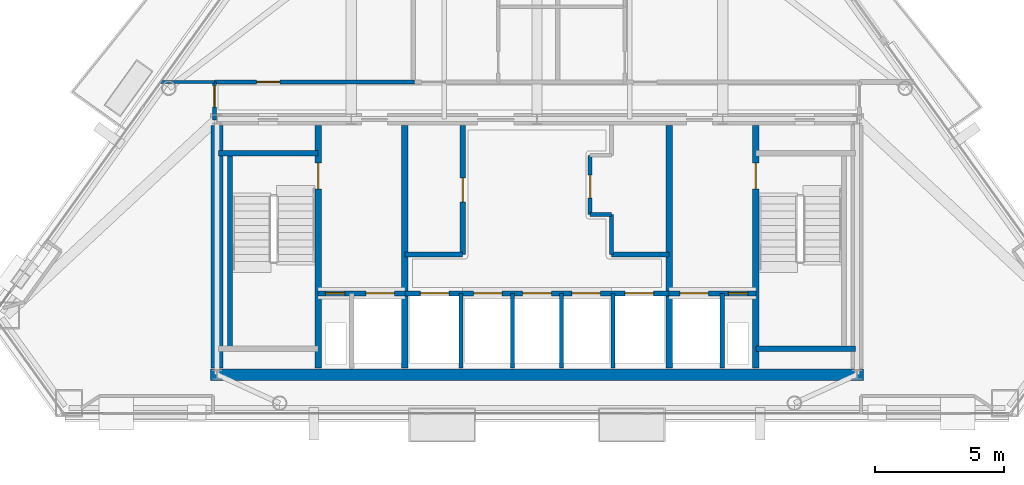
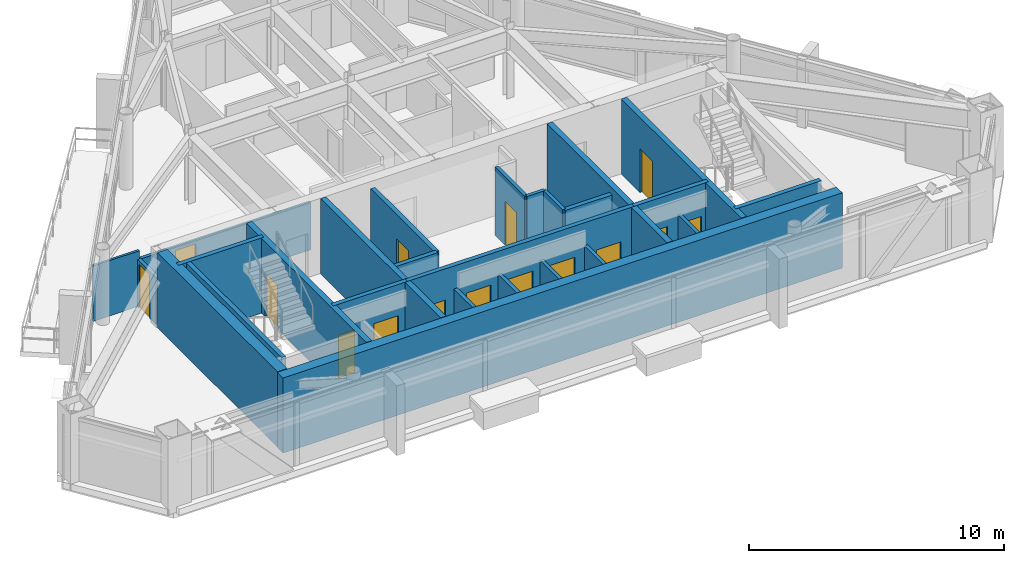
# One storey, part 7 of 11: 26 walls, 15 doors, 15 openings.
"""IFC4 building model written with IfcOpenShell, lengths in metres."""

from ifc_helpers import new_model, si_unit, direction, frame, frame_2d, origin, place, context, subcontext, project, spatial, rectangle, extrude, material, layer, layer_set, type_object, element, fill, save


model = new_model("IFC4")

# Units and contexts
model_context = context("Model", 3, precision=1e-05, world=origin(), true_north=direction((0.0, 1.0)))
body_context = subcontext(model_context, "Body", "Model", "MODEL_VIEW")
ifc_project = project(units=[si_unit("LENGTHUNIT", "METRE"), si_unit("AREAUNIT", "SQUARE_METRE"), si_unit("VOLUMEUNIT", "CUBIC_METRE"), si_unit("PLANEANGLEUNIT", "RADIAN"), si_unit("MASSUNIT", "GRAM", prefix="KILO")], contexts=[model_context])

# Site, building, storey
site_placement = place(None, origin())
site = spatial("IfcSite", under=ifc_project, at=site_placement, CompositionType="ELEMENT")
building_placement = place(site_placement, origin())
building = spatial("IfcBuilding", under=site, at=building_placement, Name="Talgorran Terracotta Tower", CompositionType="ELEMENT")
storey_placement = place(building_placement, frame((0.0, 0.0, 240.60009765625)))
storey = spatial("IfcBuildingStorey", under=building, at=storey_placement, Name="L63", CompositionType="ELEMENT", Elevation=240.60009765625)

# Walls
ifc_material_1 = material(Name="Concrete C50/60", Category="concrete")
ifc_layer_1 = layer(ifc_material_1, 0.199951171875, Name="WT_CORE_200")
ifc_layer_set_1 = layer_set([ifc_layer_1], Name="Concrete C50/60")
wall_type_1 = type_object("IfcWallType", Name="WT_CORE_200", PredefinedType="SOLIDWALL", material=ifc_layer_set_1)
wall_1_placement = place(storey_placement, frame((-12.35009765625, -5.52001953125, 0.0), z_axis=(0.0, 0.0, 1.0), x_axis=(1.0, 0.0, 0.0)))
element("IfcWall", 1, at=wall_1_placement, inside=storey, type_object=wall_type_1, Name="WL-L63-CW-ST1-N", PredefinedType="SOLIDWALL", context=body_context, shape_type="SweptSolid", body=[
    extrude(rectangle(XDim=3.8701171875, YDim=0.199951171875, at=frame_2d((1.93505859375, 0.0))), origin(), (0.0, 0.0, 1.0), 3.599853515625),
])
wall_2_placement = place(storey_placement, frame((-11.89990234375, -13.10009765625, 0.0), z_axis=(0.0, 0.0, 1.0), x_axis=(0.0, 1.0, 0.0)))
element("IfcWall", 2, at=wall_2_placement, inside=storey, type_object=wall_type_1, Name="WL-L63-CW-ST1-W", PredefinedType="SOLIDWALL", context=body_context, shape_type="SweptSolid", body=[
    extrude(rectangle(XDim=7.580078125, YDim=0.199951171875, at=frame_2d((3.7900390625, 0.0))), origin(), (0.0, 0.0, 1.0), 3.599853515625),
])
wall_3_placement = place(storey_placement, frame((8.47998046875, -13.10009765625, 0.0), z_axis=(0.0, 0.0, 1.0), x_axis=(1.0, 0.0, 0.0)))
element("IfcWall", 3, at=wall_3_placement, inside=storey, type_object=wall_type_1, Name="WL-L63-CW-ST2-S", PredefinedType="SOLIDWALL", context=body_context, shape_type="SweptSolid", body=[
    extrude(rectangle(XDim=3.8701171875, YDim=0.199951171875, at=frame_2d((1.93505859375, 0.0))), origin(), (0.0, 0.0, 1.0), 3.599853515625),
])

# Wall, openings, doors
wall_4_placement = place(storey_placement, frame((-8.47998046875, -10.949951171875, 0.0), z_axis=(0.0, 0.0, 1.0), x_axis=(1.0, 0.0, 0.0)))
wall_4 = element("IfcWall", 4, at=wall_4_placement, inside=storey, type_object=wall_type_1, Name="WL-L63-CW-H-SBW", PredefinedType="SOLIDWALL", context=body_context, shape_type="SweptSolid", body=[
    extrude(rectangle(XDim=3.35986328125, YDim=0.199951171875, at=frame_2d((1.679931640625, 0.0))), origin(), (0.0, 0.0, 1.0), 3.599853515625),
])
opening_1_placement = place(wall_4_placement, frame((0.280029296875, 0.0, 0.0)))
opening_1 = element("IfcOpeningElement", 5, at=opening_1_placement, cuts=wall_4, Name="Opening DR-RSW", PredefinedType="OPENING", context=body_context, shape_type="SweptSolid", body=[
    extrude(rectangle(XDim=0.756, YDim=2.054048828125, at=frame_2d((0.375, 1.027099609375))), frame((0.0, 0.10986328125, 0.0), z_axis=(0.0, -1.0, 0.0), x_axis=(1.0, 0.0, 0.0)), (0.0, 0.0, 1.0), 0.219970703125),
])
opening_2_placement = place(wall_4_placement, frame((1.85009765625, 0.0, 0.0)))
opening_2 = element("IfcOpeningElement", 6, at=opening_2_placement, cuts=wall_4, Name="Opening LD-FFL1", PredefinedType="OPENING", context=body_context, shape_type="SweptSolid", body=[
    extrude(rectangle(XDim=1.10609765625, YDim=2.10409765625, at=frame_2d((0.550048828125, 1.052001953125))), frame((0.0, 0.10986328125, 0.0), z_axis=(0.0, -1.0, 0.0), x_axis=(1.0, 0.0, 0.0)), (0.0, 0.0, 1.0), 0.219970703125),
])
ifc_material_2 = material(Name="Brushed Stainless Steel Grade 304", Category="steel")
door_type_1 = type_object("IfcDoorType", Name="DT_LIFT_LD1100", OperationType="DOUBLE_DOOR_SLIDING", PredefinedType="DOOR", material=ifc_material_2)
door_1_placement = place(opening_2_placement, origin())
door_1 = element("IfcDoor", 7, at=door_1_placement, inside=storey, type_object=door_type_1, Name="L63 Lift Landing Door LD-FFL1", OperationType="DOUBLE_DOOR_SLIDING", OverallHeight=2.10009765625, OverallWidth=1.10009765625, PredefinedType="DOOR", context=body_context, shape_type="SweptSolid", body=[
    extrude(rectangle(XDim=1.10009765625, YDim=2.10009765625, at=frame_2d((0.550048828125, 1.050048828125))), frame((0.0, 0.02490234375, 0.0), z_axis=(0.0, -1.0, 0.0), x_axis=(1.0, 0.0, 0.0)), (0.0, 0.0, 1.0), 0.050048828125),
])
fill(opening_2, door_1)
ifc_material_3 = material(Name="Fire-Rated Pressed Steel", Category="steel")
door_type_2 = type_object("IfcDoorType", Name="DT_RISER_750", OperationType="NOTDEFINED", PredefinedType="DOOR", material=ifc_material_3)
door_2_placement = place(opening_1_placement, origin())
door_2 = element("IfcDoor", 8, at=door_2_placement, inside=storey, type_object=door_type_2, Name="DR-RSW", OperationType="SINGLE_SWING_LEFT", OverallHeight=2.050048828125, OverallWidth=0.75, PredefinedType="DOOR", context=body_context, shape_type="SweptSolid", body=[
    extrude(rectangle(XDim=0.75, YDim=2.050048828125, at=frame_2d((0.375, 1.02490234375))), frame((0.0, 0.02490234375, 0.0), z_axis=(0.0, -1.0, 0.0), x_axis=(1.0, 0.0, 0.0)), (0.0, 0.0, 1.0), 0.050048828125),
])
fill(opening_1, door_2)

wall_5_placement = place(storey_placement, frame((-5.1201171875, -10.949951171875, 0.0), z_axis=(0.0, 0.0, 1.0), x_axis=(1.0, 0.0, 0.0)))
wall_5 = element("IfcWall", 9, at=wall_5_placement, inside=storey, type_object=wall_type_1, Name="WL-L63-CW-H-SBC", PredefinedType="SOLIDWALL", context=body_context, shape_type="SweptSolid", body=[
    extrude(rectangle(XDim=10.240234375, YDim=0.199951171875, at=frame_2d((5.1201171875, 0.0))), origin(), (0.0, 0.0, 1.0), 3.599853515625),
])
opening_3_placement = place(wall_5_placement, frame((0.60009765625, 0.0, 0.0)))
opening_3 = element("IfcOpeningElement", 10, at=opening_3_placement, cuts=wall_5, Name="Opening LD-OB1", PredefinedType="OPENING", context=body_context, shape_type="SweptSolid", body=[
    extrude(rectangle(XDim=1.10609765625, YDim=2.10409765625, at=frame_2d((0.550048828125, 1.052001953125))), frame((0.0, 0.10986328125, 0.0), z_axis=(0.0, -1.0, 0.0), x_axis=(1.0, 0.0, 0.0)), (0.0, 0.0, 1.0), 0.219970703125),
])
opening_4_placement = place(wall_5_placement, frame((2.669921875, 0.0, 0.0)))
opening_4 = element("IfcOpeningElement", 11, at=opening_4_placement, cuts=wall_5, Name="Opening LD-PLH1", PredefinedType="OPENING", context=body_context, shape_type="SweptSolid", body=[
    extrude(rectangle(XDim=1.10609765625, YDim=2.10409765625, at=frame_2d((0.550048828125, 1.052001953125))), frame((0.0, 0.10986328125, 0.0), z_axis=(0.0, -1.0, 0.0), x_axis=(1.0, 0.0, 0.0)), (0.0, 0.0, 1.0), 0.219970703125),
])
opening_5_placement = place(wall_5_placement, frame((4.570068359375, 0.0, 0.0)))
opening_5 = element("IfcOpeningElement", 12, at=opening_5_placement, cuts=wall_5, Name="Opening LD-PLH2", PredefinedType="OPENING", context=body_context, shape_type="SweptSolid", body=[
    extrude(rectangle(XDim=1.10609765625, YDim=2.10409765625, at=frame_2d((0.550048828125, 1.052001953125))), frame((0.0, 0.10986328125, 0.0), z_axis=(0.0, -1.0, 0.0), x_axis=(1.0, 0.0, 0.0)), (0.0, 0.0, 1.0), 0.219970703125),
])
opening_6_placement = place(wall_5_placement, frame((6.469970703125, 0.0, 0.0)))
opening_6 = element("IfcOpeningElement", 13, at=opening_6_placement, cuts=wall_5, Name="Opening LD-PLH3", PredefinedType="OPENING", context=body_context, shape_type="SweptSolid", body=[
    extrude(rectangle(XDim=1.10609765625, YDim=2.10409765625, at=frame_2d((0.550048828125, 1.052001953125))), frame((0.0, 0.10986328125, 0.0), z_axis=(0.0, -1.0, 0.0), x_axis=(1.0, 0.0, 0.0)), (0.0, 0.0, 1.0), 0.219970703125),
])
opening_7_placement = place(wall_5_placement, frame((8.5400390625, 0.0, 0.0)))
opening_7 = element("IfcOpeningElement", 14, at=opening_7_placement, cuts=wall_5, Name="Opening LD-SVL1", PredefinedType="OPENING", context=body_context, shape_type="SweptSolid", body=[
    extrude(rectangle(XDim=1.10609765625, YDim=2.10409765625, at=frame_2d((0.550048828125, 1.052001953125))), frame((0.0, 0.10986328125, 0.0), z_axis=(0.0, -1.0, 0.0), x_axis=(1.0, 0.0, 0.0)), (0.0, 0.0, 1.0), 0.219970703125),
])
door_3_placement = place(opening_3_placement, origin())
door_3 = element("IfcDoor", 15, at=door_3_placement, inside=storey, type_object=door_type_1, Name="L63 Lift Landing Door LD-OB1", OperationType="DOUBLE_DOOR_SLIDING", OverallHeight=2.10009765625, OverallWidth=1.10009765625, PredefinedType="DOOR", context=body_context, shape_type="SweptSolid", body=[
    extrude(rectangle(XDim=1.10009765625, YDim=2.10009765625, at=frame_2d((0.550048828125, 1.050048828125))), frame((0.0, 0.02490234375, 0.0), z_axis=(0.0, -1.0, 0.0), x_axis=(1.0, 0.0, 0.0)), (0.0, 0.0, 1.0), 0.050048828125),
])
fill(opening_3, door_3)
door_4_placement = place(opening_4_placement, origin())
door_4 = element("IfcDoor", 16, at=door_4_placement, inside=storey, type_object=door_type_1, Name="L63 Lift Landing Door LD-PLH1", OperationType="DOUBLE_DOOR_SLIDING", OverallHeight=2.10009765625, OverallWidth=1.10009765625, PredefinedType="DOOR", context=body_context, shape_type="SweptSolid", body=[
    extrude(rectangle(XDim=1.10009765625, YDim=2.10009765625, at=frame_2d((0.550048828125, 1.050048828125))), frame((0.0, 0.02490234375, 0.0), z_axis=(0.0, -1.0, 0.0), x_axis=(1.0, 0.0, 0.0)), (0.0, 0.0, 1.0), 0.050048828125),
])
fill(opening_4, door_4)
door_5_placement = place(opening_5_placement, origin())
door_5 = element("IfcDoor", 17, at=door_5_placement, inside=storey, type_object=door_type_1, Name="L63 Lift Landing Door LD-PLH2", OperationType="DOUBLE_DOOR_SLIDING", OverallHeight=2.10009765625, OverallWidth=1.10009765625, PredefinedType="DOOR", context=body_context, shape_type="SweptSolid", body=[
    extrude(rectangle(XDim=1.10009765625, YDim=2.10009765625, at=frame_2d((0.550048828125, 1.050048828125))), frame((0.0, 0.02490234375, 0.0), z_axis=(0.0, -1.0, 0.0), x_axis=(1.0, 0.0, 0.0)), (0.0, 0.0, 1.0), 0.050048828125),
])
fill(opening_5, door_5)
door_6_placement = place(opening_6_placement, origin())
door_6 = element("IfcDoor", 18, at=door_6_placement, inside=storey, type_object=door_type_1, Name="L63 Lift Landing Door LD-PLH3", OperationType="DOUBLE_DOOR_SLIDING", OverallHeight=2.10009765625, OverallWidth=1.10009765625, PredefinedType="DOOR", context=body_context, shape_type="SweptSolid", body=[
    extrude(rectangle(XDim=1.10009765625, YDim=2.10009765625, at=frame_2d((0.550048828125, 1.050048828125))), frame((0.0, 0.02490234375, 0.0), z_axis=(0.0, -1.0, 0.0), x_axis=(1.0, 0.0, 0.0)), (0.0, 0.0, 1.0), 0.050048828125),
])
fill(opening_6, door_6)
door_7_placement = place(opening_7_placement, origin())
door_7 = element("IfcDoor", 19, at=door_7_placement, inside=storey, type_object=door_type_1, Name="L63 Lift Landing Door LD-SVL1", OperationType="DOUBLE_DOOR_SLIDING", OverallHeight=2.10009765625, OverallWidth=1.10009765625, PredefinedType="DOOR", context=body_context, shape_type="SweptSolid", body=[
    extrude(rectangle(XDim=1.10009765625, YDim=2.10009765625, at=frame_2d((0.550048828125, 1.050048828125))), frame((0.0, 0.02490234375, 0.0), z_axis=(0.0, -1.0, 0.0), x_axis=(1.0, 0.0, 0.0)), (0.0, 0.0, 1.0), 0.050048828125),
])
fill(opening_7, door_7)

wall_6_placement = place(storey_placement, frame((5.1201171875, -10.949951171875, 0.0), z_axis=(0.0, 0.0, 1.0), x_axis=(1.0, 0.0, 0.0)))
wall_6 = element("IfcWall", 20, at=wall_6_placement, inside=storey, type_object=wall_type_1, Name="WL-L63-CW-H-SBE", PredefinedType="SOLIDWALL", context=body_context, shape_type="SweptSolid", body=[
    extrude(rectangle(XDim=3.35986328125, YDim=0.199951171875, at=frame_2d((1.679931640625, 0.0))), origin(), (0.0, 0.0, 1.0), 3.599853515625),
])
opening_8_placement = place(wall_6_placement, frame((0.419921875, 0.0, 0.0)))
opening_8 = element("IfcOpeningElement", 21, at=opening_8_placement, cuts=wall_6, Name="Opening LD-FFL2", PredefinedType="OPENING", context=body_context, shape_type="SweptSolid", body=[
    extrude(rectangle(XDim=1.10609765625, YDim=2.10409765625, at=frame_2d((0.550048828125, 1.052001953125))), frame((0.0, 0.10986328125, 0.0), z_axis=(0.0, -1.0, 0.0), x_axis=(1.0, 0.0, 0.0)), (0.0, 0.0, 1.0), 0.219970703125),
])
opening_9_placement = place(wall_6_placement, frame((2.300048828125, 0.0, 0.0)))
opening_9 = element("IfcOpeningElement", 22, at=opening_9_placement, cuts=wall_6, Name="Opening DR-RSE", PredefinedType="OPENING", context=body_context, shape_type="SweptSolid", body=[
    extrude(rectangle(XDim=0.756, YDim=2.054048828125, at=frame_2d((0.375, 1.027099609375))), frame((0.0, 0.10986328125, 0.0), z_axis=(0.0, -1.0, 0.0), x_axis=(1.0, 0.0, 0.0)), (0.0, 0.0, 1.0), 0.219970703125),
])
door_8_placement = place(opening_8_placement, origin())
door_8 = element("IfcDoor", 23, at=door_8_placement, inside=storey, type_object=door_type_1, Name="L63 Lift Landing Door LD-FFL2", OperationType="DOUBLE_DOOR_SLIDING", OverallHeight=2.10009765625, OverallWidth=1.10009765625, PredefinedType="DOOR", context=body_context, shape_type="SweptSolid", body=[
    extrude(rectangle(XDim=1.10009765625, YDim=2.10009765625, at=frame_2d((0.550048828125, 1.050048828125))), frame((0.0, 0.02490234375, 0.0), z_axis=(0.0, -1.0, 0.0), x_axis=(1.0, 0.0, 0.0)), (0.0, 0.0, 1.0), 0.050048828125),
])
fill(opening_8, door_8)
door_9_placement = place(opening_9_placement, origin())
door_9 = element("IfcDoor", 24, at=door_9_placement, inside=storey, type_object=door_type_2, Name="DR-RSE", OperationType="SINGLE_SWING_RIGHT", OverallHeight=2.050048828125, OverallWidth=0.75, PredefinedType="DOOR", context=body_context, shape_type="SweptSolid", body=[
    extrude(rectangle(XDim=0.75, YDim=2.050048828125, at=frame_2d((0.375, 1.02490234375))), frame((0.0, 0.02490234375, 0.0), z_axis=(0.0, -1.0, 0.0), x_axis=(1.0, 0.0, 0.0)), (0.0, 0.0, 1.0), 0.050048828125),
])
fill(opening_9, door_9)

# Wall, opening, door
wall_7_placement = place(storey_placement, frame((-2.8798828125, -9.449951171875, 0.0), z_axis=(0.0, 0.0, 1.0), x_axis=(0.0, 1.0, 0.0)))
wall_7 = element("IfcWall", 25, at=wall_7_placement, inside=storey, type_object=wall_type_1, Name="WL-L63-CW-V-W3", PredefinedType="SOLIDWALL", context=body_context, shape_type="SweptSolid", body=[
    extrude(rectangle(XDim=5.0, YDim=0.199951171875, at=frame_2d((2.5, 0.0))), origin(), (0.0, 0.0, 1.0), 3.27978515625),
])
opening_10_placement = place(wall_7_placement, frame((2.050048828125, 0.0, 0.0)))
opening_10 = element("IfcOpeningElement", 26, at=opening_10_placement, cuts=wall_7, Name="Opening DR-FRPLL-A", PredefinedType="OPENING", context=body_context, shape_type="SweptSolid", body=[
    extrude(rectangle(XDim=0.925921875, YDim=2.10409765625, at=frame_2d((0.4599609375, 1.052001953125))), frame((0.0, 0.10986328125, 0.0), z_axis=(0.0, -1.0, 0.0), x_axis=(1.0, 0.0, 0.0)), (0.0, 0.0, 1.0), 0.219970703125),
])
ifc_material_4 = material(Name="Solid-Core Painted Timber", Category="wood")
door_type_3 = type_object("IfcDoorType", Name="DT_INT_920", OperationType="NOTDEFINED", PredefinedType="DOOR", material=ifc_material_4)
door_10_placement = place(opening_10_placement, origin())
door_10 = element("IfcDoor", 27, at=door_10_placement, inside=storey, type_object=door_type_3, Name="DR-FRPLL-A", OperationType="SINGLE_SWING_LEFT", OverallHeight=2.10009765625, OverallWidth=0.919921875, PredefinedType="DOOR", context=body_context, shape_type="SweptSolid", body=[
    extrude(rectangle(XDim=0.919921875, YDim=2.10009765625, at=frame_2d((0.4599609375, 1.050048828125))), frame((0.0, 0.02490234375, 0.0), z_axis=(0.0, -1.0, 0.0), x_axis=(1.0, 0.0, 0.0)), (0.0, 0.0, 1.0), 0.050048828125),
])
fill(opening_10, door_10)

# Walls
for number, where, z_axis, x_axis, name in (
    (28, (-5.1201171875, -9.449951171875, 0.0), (0.0, 0.0, 1.0), (1.0, 0.0, 0.0), "WL-L63-CW-H-W4"),
    (29, (2.8798828125, -9.449951171875, 0.0), (0.0, 0.0, 1.0), (1.0, 0.0, 0.0), "WL-L63-CW-H-E4"),
):
    element("IfcWall", number, at=place(storey_placement, frame(where, z_axis=z_axis, x_axis=x_axis)), inside=storey, type_object=wall_type_1, Name=name, PredefinedType="SOLIDWALL", context=body_context, shape_type="SweptSolid", body=[
        extrude(rectangle(XDim=2.240234375, YDim=0.199951171875, at=frame_2d((1.1201171875, 0.0))), origin(), (0.0, 0.0, 1.0), 3.27978515625),
    ])

# Wall, opening, door
ifc_layer_2 = layer(ifc_material_1, 0.25, Name="WT_CORE_250")
ifc_layer_set_2 = layer_set([ifc_layer_2], Name="Concrete C50/60")
wall_type_2 = type_object("IfcWallType", Name="WT_CORE_250", PredefinedType="SHEAR", material=ifc_layer_set_2)
wall_8_placement = place(storey_placement, frame((-8.47998046875, -13.85009765625, 0.0), z_axis=(0.0, 0.0, 1.0), x_axis=(0.0, 1.0, 0.0)))
wall_8 = element("IfcWall", 30, at=wall_8_placement, inside=storey, type_object=wall_type_2, Name="WL-L63-CW-V-W1", PredefinedType="SHEAR", context=body_context, shape_type="SweptSolid", body=[
    extrude(rectangle(XDim=9.400146484375, YDim=0.25, at=frame_2d((4.7001953125, 0.0))), origin(), (0.0, 0.0, 1.0), 3.599853515625),
])
opening_11_placement = place(wall_8_placement, frame((6.949951171875, 0.0, 0.0)))
opening_11 = element("IfcOpeningElement", 31, at=opening_11_placement, cuts=wall_8, Name="Opening DR-ST01", PredefinedType="OPENING", context=body_context, shape_type="SweptSolid", body=[
    extrude(rectangle(XDim=1.006, YDim=2.10409765625, at=frame_2d((0.5, 1.052001953125))), frame((0.0, 0.135009765625, 0.0), z_axis=(0.0, -1.0, 0.0), x_axis=(1.0, 0.0, 0.0)), (0.0, 0.0, 1.0), 0.27001953125),
])
door_type_4 = type_object("IfcDoorType", Name="DT_FIRE_1000", OperationType="NOTDEFINED", PredefinedType="DOOR", material=ifc_material_3)
door_11_placement = place(opening_11_placement, origin())
door_11 = element("IfcDoor", 32, at=door_11_placement, inside=storey, type_object=door_type_4, Name="DR-ST01", OperationType="SINGLE_SWING_LEFT", OverallHeight=2.10009765625, OverallWidth=1.0, PredefinedType="DOOR", context=body_context, shape_type="SweptSolid", body=[
    extrude(rectangle(XDim=1.0, YDim=2.10009765625, at=frame_2d((0.5, 1.050048828125))), frame((0.0, 0.02490234375, 0.0), z_axis=(0.0, -1.0, 0.0), x_axis=(1.0, 0.0, 0.0)), (0.0, 0.0, 1.0), 0.050048828125),
])
fill(opening_11, door_11)

wall_9_placement = place(storey_placement, frame((8.47998046875, -13.85009765625, 0.0), z_axis=(0.0, 0.0, 1.0), x_axis=(0.0, 1.0, 0.0)))
wall_9 = element("IfcWall", 33, at=wall_9_placement, inside=storey, type_object=wall_type_2, Name="WL-L63-CW-V-E1", PredefinedType="SHEAR", context=body_context, shape_type="SweptSolid", body=[
    extrude(rectangle(XDim=9.400146484375, YDim=0.25, at=frame_2d((4.7001953125, 0.0))), origin(), (0.0, 0.0, 1.0), 3.599853515625),
])
opening_12_placement = place(wall_9_placement, frame((6.949951171875, 0.0, 0.0)))
opening_12 = element("IfcOpeningElement", 34, at=opening_12_placement, cuts=wall_9, Name="Opening DR-ST02", PredefinedType="OPENING", context=body_context, shape_type="SweptSolid", body=[
    extrude(rectangle(XDim=1.006, YDim=2.10409765625, at=frame_2d((0.5, 1.052001953125))), frame((0.0, 0.135009765625, 0.0), z_axis=(0.0, -1.0, 0.0), x_axis=(1.0, 0.0, 0.0)), (0.0, 0.0, 1.0), 0.27001953125),
])
door_12_placement = place(opening_12_placement, origin())
door_12 = element("IfcDoor", 35, at=door_12_placement, inside=storey, type_object=door_type_4, Name="DR-ST02", OperationType="SINGLE_SWING_RIGHT", OverallHeight=2.10009765625, OverallWidth=1.0, PredefinedType="DOOR", context=body_context, shape_type="SweptSolid", body=[
    extrude(rectangle(XDim=1.0, YDim=2.10009765625, at=frame_2d((0.5, 1.050048828125))), frame((0.0, 0.02490234375, 0.0), z_axis=(0.0, -1.0, 0.0), x_axis=(1.0, 0.0, 0.0)), (0.0, 0.0, 1.0), 0.050048828125),
])
fill(opening_12, door_12)

# Walls
for number, where, z_axis, x_axis, name in (
    (36, (-5.1201171875, -13.85009765625, 0.0), (0.0, 0.0, 1.0), (0.0, 1.0, 0.0), "WL-L63-CW-V-W2"),
    (37, (5.1201171875, -13.85009765625, 0.0), (0.0, 0.0, 1.0), (0.0, 1.0, 0.0), "WL-L63-CW-V-E2"),
):
    element("IfcWall", number, at=place(storey_placement, frame(where, z_axis=z_axis, x_axis=x_axis)), inside=storey, type_object=wall_type_2, Name=name, PredefinedType="SHEAR", context=body_context, shape_type="SweptSolid", body=[
        extrude(rectangle(XDim=9.400146484375, YDim=0.25, at=frame_2d((4.7001953125, 0.0))), origin(), (0.0, 0.0, 1.0), 3.599853515625),
    ])
ifc_material_5 = material(Name="Concrete C65/80", Category="concrete")
ifc_layer_3 = layer(ifc_material_5, 0.449951171875, Name="WT_CORE_EXT")
ifc_layer_set_3 = layer_set([ifc_layer_3], Name="Concrete C65/80")
wall_type_3 = type_object("IfcWallType", Name="WT_CORE_EXT", PredefinedType="SHEAR", material=ifc_layer_set_3)
wall_10_placement = place(storey_placement, frame((-12.64990234375, -14.10009765625, 0.0), z_axis=(0.0, 0.0, 1.0), x_axis=(1.0, 0.0, 0.0)))
element("IfcWall", 38, at=wall_10_placement, inside=storey, type_object=wall_type_3, Name="WL-L63-CW-OUT-S", PredefinedType="SHEAR", context=body_context, shape_type="SweptSolid", body=[
    extrude(rectangle(XDim=25.2998046875, YDim=0.449951171875, at=frame_2d((12.64990234375, 0.0))), origin(), (0.0, 0.0, 1.0), 3.599853515625),
])
wall_11_placement = place(storey_placement, frame((-12.39990234375, -13.85009765625, 0.0), z_axis=(0.0, 0.0, 1.0), x_axis=(0.0, 1.0, 0.0)))
element("IfcWall", 39, at=wall_11_placement, inside=storey, type_object=wall_type_3, Name="WL-L63-CW-OUT-W", PredefinedType="SHEAR", context=body_context, shape_type="SweptSolid", body=[
    extrude(rectangle(XDim=9.400146484375, YDim=0.449951171875, at=frame_2d((4.7001953125, 0.0))), origin(), (0.0, 0.0, 1.0), 3.599853515625),
])
ifc_material_6 = material(Name="Fire-Rated Steel Stud Plasterboard", Category="steel")
ifc_layer_4 = layer(ifc_material_6, 0.14990234375, Name="WT_FIRE_150")
ifc_layer_set_4 = layer_set([ifc_layer_4], Name="Fire-Rated Steel Stud Plasterboard")
wall_type_4 = type_object("IfcWallType", Name="WT_FIRE_150", PredefinedType="PARTITIONING", material=ifc_layer_set_4)
wall_12_placement = place(storey_placement, frame((2.8798828125, -9.449951171875, 0.0), z_axis=(0.0, 0.0, 1.0), x_axis=(0.0, 1.0, 0.0)))
element("IfcWall", 40, at=wall_12_placement, inside=storey, type_object=wall_type_4, Name="WL-L63-CW-V-E3A", PredefinedType="PARTITIONING", context=body_context, shape_type="SweptSolid", body=[
    extrude(rectangle(XDim=1.550048828125, YDim=0.14990234375, at=frame_2d((0.77490234375, 0.0))), origin(), (0.0, 0.0, 1.0), 3.27978515625),
])
wall_13_placement = place(storey_placement, frame((2.06005859375, -7.89990234375, 0.0), z_axis=(0.0, 0.0, 1.0), x_axis=(1.0, 0.0, 0.0)))
element("IfcWall", 41, at=wall_13_placement, inside=storey, type_object=wall_type_4, Name="WL-L63-CW-H-E3B", PredefinedType="PARTITIONING", context=body_context, shape_type="SweptSolid", body=[
    extrude(rectangle(XDim=0.81982421875, YDim=0.14990234375, at=frame_2d((0.409912109375, 0.0))), origin(), (0.0, 0.0, 1.0), 3.27978515625),
])

# Wall, opening, door
wall_14_placement = place(storey_placement, frame((2.06005859375, -7.89990234375, 0.0), z_axis=(0.0, 0.0, 1.0), x_axis=(0.0, 1.0, 0.0)))
wall_14 = element("IfcWall", 42, at=wall_14_placement, inside=storey, type_object=wall_type_4, Name="WL-L63-CW-V-E3C", PredefinedType="PARTITIONING", context=body_context, shape_type="SweptSolid", body=[
    extrude(rectangle(XDim=2.2998046875, YDim=0.14990234375, at=frame_2d((1.14990234375, 0.0))), origin(), (0.0, 0.0, 1.0), 3.27978515625),
])
opening_13_placement = place(wall_14_placement, frame((0.64990234375, 0.0, 0.0)))
opening_13 = element("IfcOpeningElement", 43, at=opening_13_placement, cuts=wall_14, Name="Opening DR-FRPLM-B", PredefinedType="OPENING", context=body_context, shape_type="SweptSolid", body=[
    extrude(rectangle(XDim=0.8858828125, YDim=2.10409765625, at=frame_2d((0.43994140625, 1.052001953125))), frame((0.0, 0.0849609375, 0.0), z_axis=(0.0, -1.0, 0.0), x_axis=(1.0, 0.0, 0.0)), (0.0, 0.0, 1.0), 0.169921875),
])
door_type_5 = type_object("IfcDoorType", Name="DT_INT_880", OperationType="NOTDEFINED", PredefinedType="DOOR", material=ifc_material_4)
door_13_placement = place(opening_13_placement, origin())
door_13 = element("IfcDoor", 44, at=door_13_placement, inside=storey, type_object=door_type_5, Name="DR-FRPLM-B", OperationType="SINGLE_SWING_RIGHT", OverallHeight=2.10009765625, OverallWidth=0.8798828125, PredefinedType="DOOR", context=body_context, shape_type="SweptSolid", body=[
    extrude(rectangle(XDim=0.8798828125, YDim=2.10009765625, at=frame_2d((0.43994140625, 1.050048828125))), frame((0.0, 0.02490234375, 0.0), z_axis=(0.0, -1.0, 0.0), x_axis=(1.0, 0.0, 0.0)), (0.0, 0.0, 1.0), 0.050048828125),
])
fill(opening_13, door_13)

wall_15_placement = place(storey_placement, frame((-12.5, -2.760009765625, 0.0), z_axis=(0.0, 0.0, 1.0), x_axis=(1.0, 0.0, 0.0)))
wall_15 = element("IfcWall", 45, at=wall_15_placement, inside=storey, type_object=wall_type_4, Name="WL-L63-W-L63-R03", PredefinedType="PARTITIONING", context=body_context, shape_type="SweptSolid", body=[
    extrude(rectangle(XDim=7.760009765625, YDim=0.14990234375, at=frame_2d((3.8798828125, 0.0))), origin(), (0.0, 0.0, 1.0), 2.2548828125),
])
opening_14_placement = place(wall_15_placement, frame((1.635498046875, 0.0, 0.0)))
opening_14 = element("IfcOpeningElement", 46, at=opening_14_placement, cuts=wall_15, Name="Opening DR-L63-R03", PredefinedType="OPENING", context=body_context, shape_type="SweptSolid", body=[
    extrude(rectangle(XDim=0.90590234375, YDim=2.10409765625, at=frame_2d((0.449951171875, 1.052001953125))), frame((0.0, 0.0849609375, 0.0), z_axis=(0.0, -1.0, 0.0), x_axis=(1.0, 0.0, 0.0)), (0.0, 0.0, 1.0), 0.169921875),
])
ifc_material_7 = material(Name="Fire-Rated Timber Core", Category="wood")
door_type_6 = type_object("IfcDoorType", Name="DT_FIRE_900", OperationType="NOTDEFINED", PredefinedType="DOOR", material=ifc_material_7)
door_14_placement = place(opening_14_placement, origin())
door_14 = element("IfcDoor", 47, at=door_14_placement, inside=storey, type_object=door_type_6, Name="DR-L63-R03", OperationType="SINGLE_SWING_LEFT", OverallHeight=2.10009765625, OverallWidth=0.89990234375, PredefinedType="DOOR", context=body_context, shape_type="SweptSolid", body=[
    extrude(rectangle(XDim=0.89990234375, YDim=2.10009765625, at=frame_2d((0.449951171875, 1.050048828125))), frame((0.0, 0.02490234375, 0.0), z_axis=(0.0, -1.0, 0.0), x_axis=(1.0, 0.0, 0.0)), (0.0, 0.0, 1.0), 0.050048828125),
])
fill(opening_14, door_14)

wall_16_placement = place(storey_placement, frame((-12.5, -4.239990234375, 0.0), z_axis=(0.0, 0.0, 1.0), x_axis=(0.0, 1.0, 0.0)))
wall_16 = element("IfcWall", 48, at=wall_16_placement, inside=storey, type_object=wall_type_4, Name="WL-L63-W-L63-R01", PredefinedType="PARTITIONING", context=body_context, shape_type="SweptSolid", body=[
    extrude(rectangle(XDim=1.47998046875, YDim=0.14990234375, at=frame_2d((0.739990234375, 0.0))), origin(), (0.0, 0.0, 1.0), 2.2548828125),
])
opening_15_placement = place(wall_16_placement, frame((0.521728515625, 0.0, 0.0)))
opening_15 = element("IfcOpeningElement", 49, at=opening_15_placement, cuts=wall_16, Name="Opening DR-L63-R01", PredefinedType="OPENING", context=body_context, shape_type="SweptSolid", body=[
    extrude(rectangle(XDim=0.826068359375, YDim=2.10409765625, at=frame_2d((0.41015625, 1.052001953125))), frame((0.0, 0.0849609375, 0.0), z_axis=(0.0, -1.0, 0.0), x_axis=(1.0, 0.0, 0.0)), (0.0, 0.0, 1.0), 0.169921875),
])
ifc_material_8 = material(Name="Moisture-Resistant Solid Timber", Category="wood")
door_type_7 = type_object("IfcDoorType", Name="DT_INT_820", OperationType="NOTDEFINED", PredefinedType="DOOR", material=ifc_material_8)
door_15_placement = place(opening_15_placement, origin())
door_15 = element("IfcDoor", 50, at=door_15_placement, inside=storey, type_object=door_type_7, Name="DR-L63-R01", OperationType="SINGLE_SWING_LEFT", OverallHeight=2.10009765625, OverallWidth=0.820068359375, PredefinedType="DOOR", context=body_context, shape_type="SweptSolid", body=[
    extrude(rectangle(XDim=0.820068359375, YDim=2.10009765625, at=frame_2d((0.41015625, 1.050048828125))), frame((0.0, 0.02490234375, 0.0), z_axis=(0.0, -1.0, 0.0), x_axis=(1.0, 0.0, 0.0)), (0.0, 0.0, 1.0), 0.050048828125),
])
fill(opening_15, door_15)

# Walls
ifc_material_9 = material(Name="Lightweight Steel Stud Partition", Category="steel")
ifc_layer_5 = layer(ifc_material_9, 0.10498046875, Name="WT_PART_110")
ifc_layer_set_5 = layer_set([ifc_layer_5], Name="Lightweight Steel Stud Partition")
wall_type_5 = type_object("IfcWallType", Name="WT_PART_110", PredefinedType="PARTITIONING", material=ifc_layer_set_5)
wall_17_placement = place(storey_placement, frame((-14.58837890625, -2.760009765625, 0.0), z_axis=(0.0, 0.0, 1.0), x_axis=(1.0, 0.0, 0.0)))
element("IfcWall", 51, at=wall_17_placement, inside=storey, type_object=wall_type_5, Name="WL-L63-W-L63-R08", PredefinedType="PARTITIONING", context=body_context, shape_type="SweptSolid", body=[
    extrude(rectangle(XDim=2.08837890625, YDim=0.10498046875, at=frame_2d((1.044189453125, 0.0))), origin(), (0.0, 0.0, 1.0), 2.65283203125),
])
ifc_material_10 = material(Name="Fire-Rated Shaftwall")
ifc_layer_6 = layer(ifc_material_10, 0.159912109375, Name="WT_PART_150")
ifc_layer_set_6 = layer_set([ifc_layer_6], Name="Fire-Rated Shaftwall")
wall_type_6 = type_object("IfcWallType", Name="WT_PART_150", PredefinedType="PARTITIONING", material=ifc_layer_set_6)
for number, where, z_axis, x_axis, name in (
    (52, (7.179931640625, -13.85009765625, 0.0), (0.0, 0.0, 1.0), (0.0, 1.0, 0.0), "WL-L63-CW-RSE"),
    (53, (-2.949951171875, -13.85009765625, 0.0), (0.0, 0.0, 1.0), (0.0, 1.0, 0.0), "WL-L63-CW-OB-E"),
    (54, (2.949951171875, -13.85009765625, 0.0), (0.0, 0.0, 1.0), (0.0, 1.0, 0.0), "WL-L63-CW-SV-W"),
    (55, (-0.949951171875, -13.85009765625, 0.0), (0.0, 0.0, 1.0), (0.0, 1.0, 0.0), "WL-L63-CW-PLH-D1"),
    (56, (0.949951171875, -13.85009765625, 0.0), (0.0, 0.0, 1.0), (0.0, 1.0, 0.0), "WL-L63-CW-PLH-D2"),
):
    element("IfcWall", number, at=place(storey_placement, frame(where, z_axis=z_axis, x_axis=x_axis)), inside=storey, type_object=wall_type_6, Name=name, PredefinedType="PARTITIONING", context=body_context, shape_type="SweptSolid", body=[
        extrude(rectangle(XDim=2.900146484375, YDim=0.159912109375, at=frame_2d((1.4501953125, 0.0))), origin(), (0.0, 0.0, 1.0), 2.5048828125),
    ])

save(model, "model.ifc")
